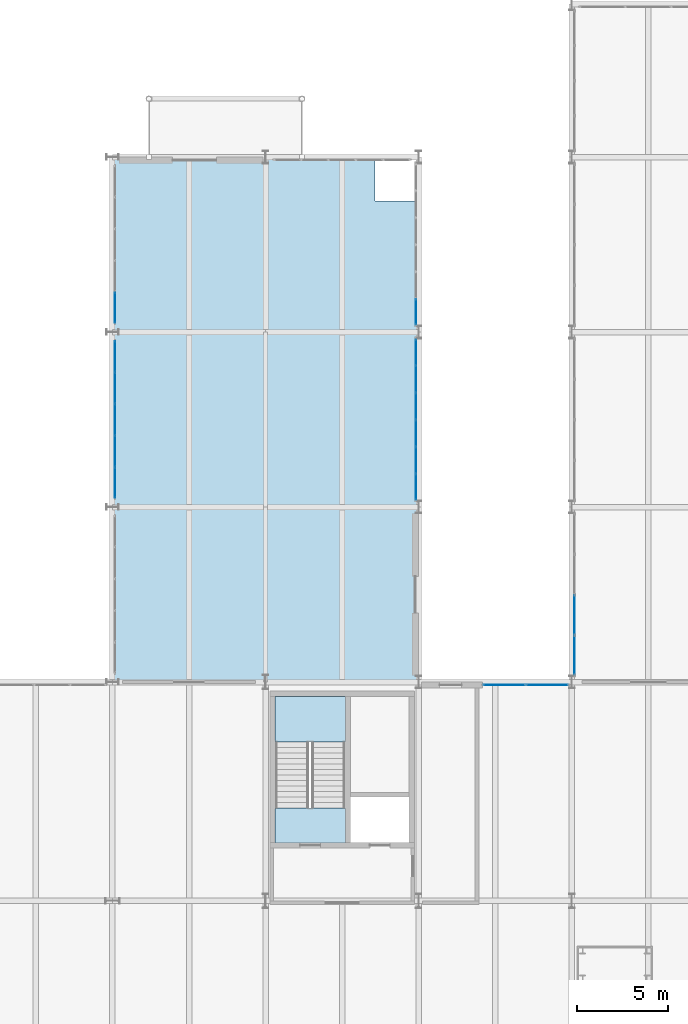
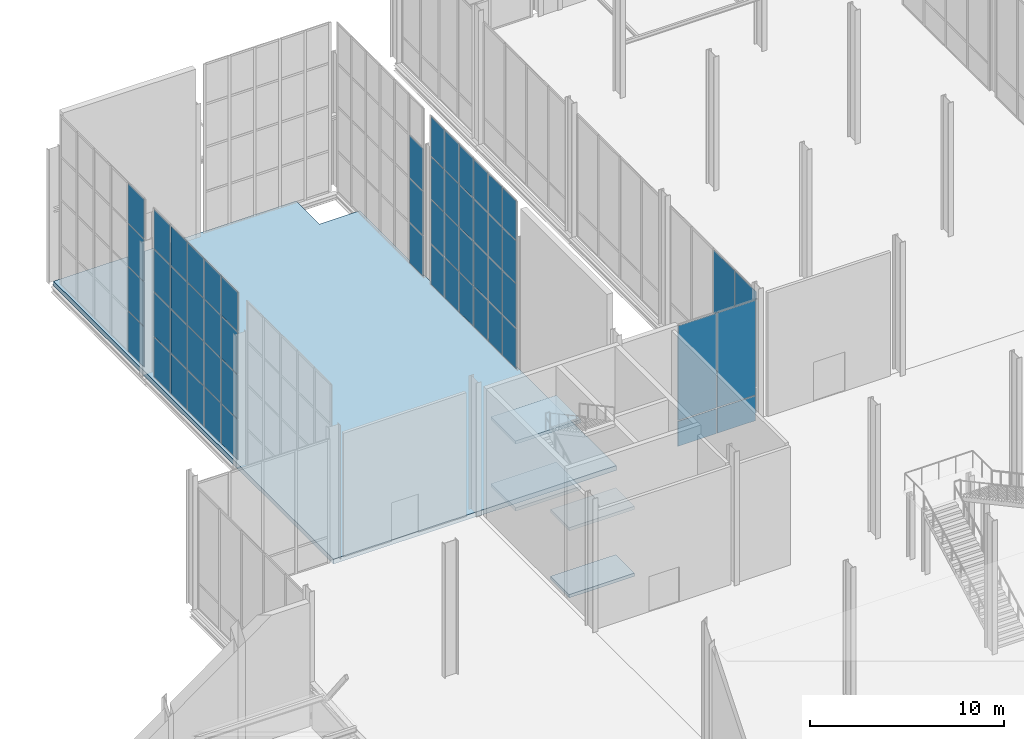
# One storey, part 103 of 131: 59 plates, 5 slabs, 7 elements without a shape of their own.
"""IFC4 building model written with IfcOpenShell, lengths in metres."""

from ifc_helpers import new_model, si_unit, direction, frame, origin, origin_2d, place, context, subcontext, project, spatial, polyline, rectangle, outline, extrude, material, layer, layer_set, type_object, element, aggregate, save


model = new_model("IFC4")

# Units and contexts
model_context = context("Model", 3, precision=1e-05, world=origin(), true_north=direction((0.0, 1.0)))
body_context = subcontext(model_context, "Body", "Model", "MODEL_VIEW")
ifc_project = project(units=[si_unit("LENGTHUNIT", "METRE"), si_unit("AREAUNIT", "SQUARE_METRE"), si_unit("VOLUMEUNIT", "CUBIC_METRE"), si_unit("PLANEANGLEUNIT", "RADIAN"), si_unit("MASSUNIT", "GRAM", prefix="KILO")], contexts=[model_context])

# Site, building, storey
site_placement = place(None, origin())
site = spatial("IfcSite", under=ifc_project, at=site_placement, CompositionType="ELEMENT")
building_placement = place(site_placement, origin())
building = spatial("IfcBuilding", under=site, at=building_placement, Name="Veltarok Museum of Natural Sciences", CompositionType="ELEMENT")
storey_placement = place(building_placement, origin())
storey = spatial("IfcBuildingStorey", under=building, at=storey_placement, Name="L00", CompositionType="ELEMENT", Elevation=0.0)

# Slabs
ifc_material_1 = material(Name="Concrete C35/45", Category="concrete")
ifc_layer_1 = layer(ifc_material_1, 0.300048828125)
ifc_layer_set_1 = layer_set([ifc_layer_1], Name="Concrete C35/45")
slab_type_1 = type_object("IfcSlabType", Name="Ground Level Heavy Composite Slab 300", PredefinedType="FLOOR", material=ifc_layer_set_1)
slab_1_placement = place(storey_placement, frame((0.0, 0.0, -0.300048828125)))
element("IfcSlab", 1, at=slab_1_placement, inside=storey, type_object=slab_type_1, Name="Floor Slab L00 V6N", PredefinedType="FLOOR", context=body_context, shape_type="SweptSolid", body=[
    extrude(outline(polyline([(31.60009765625, 72.0), (31.60009765625, 100.800048828125), (46.0, 100.800048828125), (46.0, 98.39990234375), (48.39990234375, 98.39990234375), (48.39990234375, 72.0), (31.60009765625, 72.0)])), origin(), (0.0, 0.0, 1.0), 0.300048828125),
])
ifc_layer_2 = layer(ifc_material_1, 0.199951171875)
ifc_layer_set_2 = layer_set([ifc_layer_2], Name="Concrete C35/45")
slab_type_2 = type_object("IfcSlabType", Name="Protected Stair Intermediate Landing Slab 200", PredefinedType="LANDING", material=ifc_layer_set_2)
slab_2_placement = place(storey_placement, frame((0.0, 0.0, -0.199951171875)))
element("IfcSlab", 2, at=slab_2_placement, inside=storey, type_object=slab_type_2, Name="Stairwell Floor Landing ST-03 L00", PredefinedType="LANDING", context=body_context, shape_type="SweptSolid", body=[
    extrude(outline(polyline([(40.510009765625, 63.179931640625), (44.389892578125, 63.179931640625), (44.389892578125, 65.10009765625), (40.510009765625, 65.10009765625), (40.510009765625, 63.179931640625)])), origin(), (0.0, 0.0, 1.0), 0.199951171875),
])

# Stair, slabs
ifc_material_2 = material(Name="Precast concrete C40/50", Category="concrete")
stair_type = type_object("IfcStairType", Name="Protected Four-Flight Double-Height Escape Stair H8400", PredefinedType="HALF_TURN_STAIR", material=ifc_material_2)
stair_placement = place(storey_placement, origin())
stair = element("IfcStair", 3, at=stair_placement, inside=storey, type_object=stair_type, Name="Protected Escape Stair ST-03-L00", PredefinedType="HALF_TURN_STAIR")
slab_3_placement = place(storey_placement, frame((0.0, 0.0, 1.89990234375)))
slab_3 = element("IfcSlab", 4, at=slab_3_placement, type_object=slab_type_2, Name="ST-03-L00 landing 1", PredefinedType="LANDING", context=body_context, shape_type="SweptSolid", body=[
    extrude(outline(polyline([(40.510009765625, 68.699951171875), (44.389892578125, 68.699951171875), (44.389892578125, 71.219970703125), (40.510009765625, 71.219970703125), (40.510009765625, 68.699951171875)])), origin(), (0.0, 0.0, 1.0), 0.2001953125),
])
slab_4_placement = place(storey_placement, frame((0.0, 0.0, 4.0)))
slab_4 = element("IfcSlab", 5, at=slab_4_placement, type_object=slab_type_2, Name="ST-03-L00 landing 2", PredefinedType="LANDING", context=body_context, shape_type="SweptSolid", body=[
    extrude(outline(polyline([(40.510009765625, 63.179931640625), (44.389892578125, 63.179931640625), (44.389892578125, 65.10009765625), (40.510009765625, 65.10009765625), (40.510009765625, 63.179931640625)])), origin(), (0.0, 0.0, 1.0), 0.199951171875),
])
slab_5_placement = place(storey_placement, frame((0.0, 0.0, 6.10009765625)))
slab_5 = element("IfcSlab", 6, at=slab_5_placement, type_object=slab_type_2, Name="ST-03-L00 landing 3", PredefinedType="LANDING", context=body_context, shape_type="SweptSolid", body=[
    extrude(outline(polyline([(40.510009765625, 68.699951171875), (44.389892578125, 68.699951171875), (44.389892578125, 71.219970703125), (40.510009765625, 71.219970703125), (40.510009765625, 68.699951171875)])), origin(), (0.0, 0.0, 1.0), 0.199951171875),
])
aggregate(stair, [slab_3, slab_4, slab_5])

# Curtain wall, plates
ifc_material_3 = material(Name="Low-iron triple insulated glass", Category="glass")
curtain_wall_type_1 = type_object("IfcCurtainWallType", Name="Curtain Wall System CW-PAS-NW-JK-870x1065 (Sculpture Court Passage J-K 870x1065cm)", PredefinedType="NOTDEFINED", material=ifc_material_3)
curtain_wall_1_placement = place(storey_placement, origin())
curtain_wall_1 = element("IfcCurtainWall", 7, at=curtain_wall_1_placement, inside=storey, type_object=curtain_wall_type_1, Name="Curtain Wall CW-PAS-NW-JK-870x1065 CW-0025", PredefinedType="NOTDEFINED")
ifc_layer_3 = layer(ifc_material_3, 0.028076171875)
ifc_layer_set_3 = layer_set([ifc_layer_3], Name="Low-iron triple insulated glass")
plate_type = type_object("IfcPlateType", Name="Triple Low-Iron Glazed Vision Panel 28", PredefinedType="CURTAIN_PANEL", material=ifc_layer_set_3)
plate_1_placement = place(storey_placement, frame((31.75, 82.93505859375, 0.06005859375), z_axis=(0.0, 0.0, 1.0), x_axis=(0.0, 1.0, 0.0)))
plate_1 = element("IfcPlate", 8, at=plate_1_placement, type_object=plate_type, Name="CW-PAS-NW-JK-870x1065 panel 1.1", PredefinedType="CURTAIN_PANEL", context=body_context, shape_type="SweptSolid", body=[
    extrude(rectangle(XDim=1.64990234375, YDim=0.028076171875, at=origin_2d()), origin(), (0.0, 0.0, 1.0), 2.510009765625),
])
plate_2_placement = place(storey_placement, frame((31.75, 82.93505859375, 2.6298828125), z_axis=(0.0, 0.0, 1.0), x_axis=(0.0, 1.0, 0.0)))
plate_2 = element("IfcPlate", 9, at=plate_2_placement, type_object=plate_type, Name="CW-PAS-NW-JK-870x1065 panel 1.2", PredefinedType="CURTAIN_PANEL", context=body_context, shape_type="SweptSolid", body=[
    extrude(rectangle(XDim=1.64990234375, YDim=0.028076171875, at=origin_2d()), origin(), (0.0, 0.0, 1.0), 2.739990234375),
])
plate_3_placement = place(storey_placement, frame((31.75, 82.93505859375, 5.43017578125), z_axis=(0.0, 0.0, 1.0), x_axis=(0.0, 1.0, 0.0)))
plate_3 = element("IfcPlate", 10, at=plate_3_placement, type_object=plate_type, Name="CW-PAS-NW-JK-870x1065 panel 1.3", PredefinedType="CURTAIN_PANEL", context=body_context, shape_type="SweptSolid", body=[
    extrude(rectangle(XDim=1.64990234375, YDim=0.028076171875, at=origin_2d()), origin(), (0.0, 0.0, 1.0), 2.639892578125),
])
plate_4_placement = place(storey_placement, frame((31.75, 82.93505859375, 8.130126953125), z_axis=(0.0, 0.0, 1.0), x_axis=(0.0, 1.0, 0.0)))
plate_4 = element("IfcPlate", 11, at=plate_4_placement, type_object=plate_type, Name="CW-PAS-NW-JK-870x1065 panel 1.4", PredefinedType="CURTAIN_PANEL", context=body_context, shape_type="SweptSolid", body=[
    extrude(rectangle(XDim=1.64990234375, YDim=0.028076171875, at=origin_2d()), origin(), (0.0, 0.0, 1.0), 2.4599609375),
])
plate_5_placement = place(storey_placement, frame((31.75, 84.659912109375, 0.06005859375), z_axis=(0.0, 0.0, 1.0), x_axis=(0.0, 1.0, 0.0)))
plate_5 = element("IfcPlate", 12, at=plate_5_placement, type_object=plate_type, Name="CW-PAS-NW-JK-870x1065 panel 2.1", PredefinedType="CURTAIN_PANEL", context=body_context, shape_type="SweptSolid", body=[
    extrude(rectangle(XDim=1.679931640625, YDim=0.028076171875, at=origin_2d()), origin(), (0.0, 0.0, 1.0), 2.510009765625),
])
plate_6_placement = place(storey_placement, frame((31.75, 84.659912109375, 2.6298828125), z_axis=(0.0, 0.0, 1.0), x_axis=(0.0, 1.0, 0.0)))
plate_6 = element("IfcPlate", 13, at=plate_6_placement, type_object=plate_type, Name="CW-PAS-NW-JK-870x1065 panel 2.2", PredefinedType="CURTAIN_PANEL", context=body_context, shape_type="SweptSolid", body=[
    extrude(rectangle(XDim=1.679931640625, YDim=0.028076171875, at=origin_2d()), origin(), (0.0, 0.0, 1.0), 2.739990234375),
])
plate_7_placement = place(storey_placement, frame((31.75, 84.659912109375, 5.43017578125), z_axis=(0.0, 0.0, 1.0), x_axis=(0.0, 1.0, 0.0)))
plate_7 = element("IfcPlate", 14, at=plate_7_placement, type_object=plate_type, Name="CW-PAS-NW-JK-870x1065 panel 2.3", PredefinedType="CURTAIN_PANEL", context=body_context, shape_type="SweptSolid", body=[
    extrude(rectangle(XDim=1.679931640625, YDim=0.028076171875, at=origin_2d()), origin(), (0.0, 0.0, 1.0), 2.639892578125),
])
plate_8_placement = place(storey_placement, frame((31.75, 84.659912109375, 8.130126953125), z_axis=(0.0, 0.0, 1.0), x_axis=(0.0, 1.0, 0.0)))
plate_8 = element("IfcPlate", 15, at=plate_8_placement, type_object=plate_type, Name="CW-PAS-NW-JK-870x1065 panel 2.4", PredefinedType="CURTAIN_PANEL", context=body_context, shape_type="SweptSolid", body=[
    extrude(rectangle(XDim=1.679931640625, YDim=0.028076171875, at=origin_2d()), origin(), (0.0, 0.0, 1.0), 2.4599609375),
])
plate_9_placement = place(storey_placement, frame((31.75, 86.39990234375, 0.06005859375), z_axis=(0.0, 0.0, 1.0), x_axis=(0.0, 1.0, 0.0)))
plate_9 = element("IfcPlate", 16, at=plate_9_placement, type_object=plate_type, Name="CW-PAS-NW-JK-870x1065 panel 3.1", PredefinedType="CURTAIN_PANEL", context=body_context, shape_type="SweptSolid", body=[
    extrude(rectangle(XDim=1.679931640625, YDim=0.028076171875, at=origin_2d()), origin(), (0.0, 0.0, 1.0), 2.510009765625),
])
plate_10_placement = place(storey_placement, frame((31.75, 86.39990234375, 2.6298828125), z_axis=(0.0, 0.0, 1.0), x_axis=(0.0, 1.0, 0.0)))
plate_10 = element("IfcPlate", 17, at=plate_10_placement, type_object=plate_type, Name="CW-PAS-NW-JK-870x1065 panel 3.2", PredefinedType="CURTAIN_PANEL", context=body_context, shape_type="SweptSolid", body=[
    extrude(rectangle(XDim=1.679931640625, YDim=0.028076171875, at=origin_2d()), origin(), (0.0, 0.0, 1.0), 2.739990234375),
])
plate_11_placement = place(storey_placement, frame((31.75, 86.39990234375, 5.43017578125), z_axis=(0.0, 0.0, 1.0), x_axis=(0.0, 1.0, 0.0)))
plate_11 = element("IfcPlate", 18, at=plate_11_placement, type_object=plate_type, Name="CW-PAS-NW-JK-870x1065 panel 3.3", PredefinedType="CURTAIN_PANEL", context=body_context, shape_type="SweptSolid", body=[
    extrude(rectangle(XDim=1.679931640625, YDim=0.028076171875, at=origin_2d()), origin(), (0.0, 0.0, 1.0), 2.639892578125),
])
plate_12_placement = place(storey_placement, frame((31.75, 86.39990234375, 8.130126953125), z_axis=(0.0, 0.0, 1.0), x_axis=(0.0, 1.0, 0.0)))
plate_12 = element("IfcPlate", 19, at=plate_12_placement, type_object=plate_type, Name="CW-PAS-NW-JK-870x1065 panel 3.4", PredefinedType="CURTAIN_PANEL", context=body_context, shape_type="SweptSolid", body=[
    extrude(rectangle(XDim=1.679931640625, YDim=0.028076171875, at=origin_2d()), origin(), (0.0, 0.0, 1.0), 2.4599609375),
])
plate_13_placement = place(storey_placement, frame((31.75, 88.139892578125, 0.06005859375), z_axis=(0.0, 0.0, 1.0), x_axis=(0.0, 1.0, 0.0)))
plate_13 = element("IfcPlate", 20, at=plate_13_placement, type_object=plate_type, Name="CW-PAS-NW-JK-870x1065 panel 4.1", PredefinedType="CURTAIN_PANEL", context=body_context, shape_type="SweptSolid", body=[
    extrude(rectangle(XDim=1.679931640625, YDim=0.028076171875, at=origin_2d()), origin(), (0.0, 0.0, 1.0), 2.510009765625),
])
plate_14_placement = place(storey_placement, frame((31.75, 88.139892578125, 2.6298828125), z_axis=(0.0, 0.0, 1.0), x_axis=(0.0, 1.0, 0.0)))
plate_14 = element("IfcPlate", 21, at=plate_14_placement, type_object=plate_type, Name="CW-PAS-NW-JK-870x1065 panel 4.2", PredefinedType="CURTAIN_PANEL", context=body_context, shape_type="SweptSolid", body=[
    extrude(rectangle(XDim=1.679931640625, YDim=0.028076171875, at=origin_2d()), origin(), (0.0, 0.0, 1.0), 2.739990234375),
])
plate_15_placement = place(storey_placement, frame((31.75, 88.139892578125, 5.43017578125), z_axis=(0.0, 0.0, 1.0), x_axis=(0.0, 1.0, 0.0)))
plate_15 = element("IfcPlate", 22, at=plate_15_placement, type_object=plate_type, Name="CW-PAS-NW-JK-870x1065 panel 4.3", PredefinedType="CURTAIN_PANEL", context=body_context, shape_type="SweptSolid", body=[
    extrude(rectangle(XDim=1.679931640625, YDim=0.028076171875, at=origin_2d()), origin(), (0.0, 0.0, 1.0), 2.639892578125),
])
plate_16_placement = place(storey_placement, frame((31.75, 88.139892578125, 8.130126953125), z_axis=(0.0, 0.0, 1.0), x_axis=(0.0, 1.0, 0.0)))
plate_16 = element("IfcPlate", 23, at=plate_16_placement, type_object=plate_type, Name="CW-PAS-NW-JK-870x1065 panel 4.4", PredefinedType="CURTAIN_PANEL", context=body_context, shape_type="SweptSolid", body=[
    extrude(rectangle(XDim=1.679931640625, YDim=0.028076171875, at=origin_2d()), origin(), (0.0, 0.0, 1.0), 2.4599609375),
])
plate_17_placement = place(storey_placement, frame((31.75, 89.864990234375, 0.06005859375), z_axis=(0.0, 0.0, 1.0), x_axis=(0.0, 1.0, 0.0)))
plate_17 = element("IfcPlate", 24, at=plate_17_placement, type_object=plate_type, Name="CW-PAS-NW-JK-870x1065 panel 5.1", PredefinedType="CURTAIN_PANEL", context=body_context, shape_type="SweptSolid", body=[
    extrude(rectangle(XDim=1.64990234375, YDim=0.028076171875, at=origin_2d()), origin(), (0.0, 0.0, 1.0), 2.510009765625),
])
plate_18_placement = place(storey_placement, frame((31.75, 89.864990234375, 2.6298828125), z_axis=(0.0, 0.0, 1.0), x_axis=(0.0, 1.0, 0.0)))
plate_18 = element("IfcPlate", 25, at=plate_18_placement, type_object=plate_type, Name="CW-PAS-NW-JK-870x1065 panel 5.2", PredefinedType="CURTAIN_PANEL", context=body_context, shape_type="SweptSolid", body=[
    extrude(rectangle(XDim=1.64990234375, YDim=0.028076171875, at=origin_2d()), origin(), (0.0, 0.0, 1.0), 2.739990234375),
])
plate_19_placement = place(storey_placement, frame((31.75, 89.864990234375, 5.43017578125), z_axis=(0.0, 0.0, 1.0), x_axis=(0.0, 1.0, 0.0)))
plate_19 = element("IfcPlate", 26, at=plate_19_placement, type_object=plate_type, Name="CW-PAS-NW-JK-870x1065 panel 5.3", PredefinedType="CURTAIN_PANEL", context=body_context, shape_type="SweptSolid", body=[
    extrude(rectangle(XDim=1.64990234375, YDim=0.028076171875, at=origin_2d()), origin(), (0.0, 0.0, 1.0), 2.639892578125),
])
plate_20_placement = place(storey_placement, frame((31.75, 89.864990234375, 8.130126953125), z_axis=(0.0, 0.0, 1.0), x_axis=(0.0, 1.0, 0.0)))
plate_20 = element("IfcPlate", 27, at=plate_20_placement, type_object=plate_type, Name="CW-PAS-NW-JK-870x1065 panel 5.4", PredefinedType="CURTAIN_PANEL", context=body_context, shape_type="SweptSolid", body=[
    extrude(rectangle(XDim=1.64990234375, YDim=0.028076171875, at=origin_2d()), origin(), (0.0, 0.0, 1.0), 2.4599609375),
])
aggregate(curtain_wall_1, [plate_1, plate_2, plate_3, plate_4, plate_5, plate_6, plate_7, plate_8, plate_9, plate_10, plate_11, plate_12, plate_13, plate_14, plate_15, plate_16, plate_17, plate_18, plate_19, plate_20])

curtain_wall_type_2 = type_object("IfcCurtainWallType", Name="Curtain Wall System CW-PAS-NW-KL-870x1065 (Sculpture Court Passage K-L 870x1065cm)", PredefinedType="NOTDEFINED", material=ifc_material_3)
curtain_wall_2_placement = place(storey_placement, origin())
curtain_wall_2 = element("IfcCurtainWall", 28, at=curtain_wall_2_placement, inside=storey, type_object=curtain_wall_type_2, Name="Curtain Wall CW-PAS-NW-KL-870x1065 CW-0026", PredefinedType="NOTDEFINED")
plate_21_placement = place(storey_placement, frame((31.75, 92.534912109375, 0.06005859375), z_axis=(0.0, 0.0, 1.0), x_axis=(0.0, 1.0, 0.0)))
plate_21 = element("IfcPlate", 29, at=plate_21_placement, type_object=plate_type, Name="CW-PAS-NW-KL-870x1065 panel 1.1", PredefinedType="CURTAIN_PANEL", context=body_context, shape_type="SweptSolid", body=[
    extrude(rectangle(XDim=1.64990234375, YDim=0.028076171875, at=origin_2d()), origin(), (0.0, 0.0, 1.0), 2.510009765625),
])
plate_22_placement = place(storey_placement, frame((31.75, 92.534912109375, 2.6298828125), z_axis=(0.0, 0.0, 1.0), x_axis=(0.0, 1.0, 0.0)))
plate_22 = element("IfcPlate", 30, at=plate_22_placement, type_object=plate_type, Name="CW-PAS-NW-KL-870x1065 panel 1.2", PredefinedType="CURTAIN_PANEL", context=body_context, shape_type="SweptSolid", body=[
    extrude(rectangle(XDim=1.64990234375, YDim=0.028076171875, at=origin_2d()), origin(), (0.0, 0.0, 1.0), 2.739990234375),
])
plate_23_placement = place(storey_placement, frame((31.75, 92.534912109375, 5.43017578125), z_axis=(0.0, 0.0, 1.0), x_axis=(0.0, 1.0, 0.0)))
plate_23 = element("IfcPlate", 31, at=plate_23_placement, type_object=plate_type, Name="CW-PAS-NW-KL-870x1065 panel 1.3", PredefinedType="CURTAIN_PANEL", context=body_context, shape_type="SweptSolid", body=[
    extrude(rectangle(XDim=1.64990234375, YDim=0.028076171875, at=origin_2d()), origin(), (0.0, 0.0, 1.0), 2.639892578125),
])
plate_24_placement = place(storey_placement, frame((31.75, 92.534912109375, 8.130126953125), z_axis=(0.0, 0.0, 1.0), x_axis=(0.0, 1.0, 0.0)))
plate_24 = element("IfcPlate", 32, at=plate_24_placement, type_object=plate_type, Name="CW-PAS-NW-KL-870x1065 panel 1.4", PredefinedType="CURTAIN_PANEL", context=body_context, shape_type="SweptSolid", body=[
    extrude(rectangle(XDim=1.64990234375, YDim=0.028076171875, at=origin_2d()), origin(), (0.0, 0.0, 1.0), 2.4599609375),
])
aggregate(curtain_wall_2, [plate_21, plate_22, plate_23, plate_24])

curtain_wall_type_3 = type_object("IfcCurtainWallType", Name="Curtain Wall System CW-PAS-NE-JK-890x1065 (Sculpture Court East Passage J-K 890x1065cm)", PredefinedType="NOTDEFINED", material=ifc_material_3)
curtain_wall_3_placement = place(storey_placement, origin())
curtain_wall_3 = element("IfcCurtainWall", 33, at=curtain_wall_3_placement, inside=storey, type_object=curtain_wall_type_3, Name="Curtain Wall CW-PAS-NE-JK-890x1065 CW-0047", PredefinedType="NOTDEFINED")
plate_25_placement = place(storey_placement, frame((48.25, 82.706787109375, 0.06005859375), z_axis=(0.0, 0.0, 1.0), x_axis=(0.0, 1.0, 0.0)))
plate_25 = element("IfcPlate", 34, at=plate_25_placement, type_object=plate_type, Name="CW-PAS-NE-JK-890x1065 panel 1.1", PredefinedType="CURTAIN_PANEL", context=body_context, shape_type="SweptSolid", body=[
    extrude(rectangle(XDim=1.393310546875, YDim=0.028076171875, at=origin_2d()), origin(), (0.0, 0.0, 1.0), 2.510009765625),
])
plate_26_placement = place(storey_placement, frame((48.25, 82.706787109375, 2.6298828125), z_axis=(0.0, 0.0, 1.0), x_axis=(0.0, 1.0, 0.0)))
plate_26 = element("IfcPlate", 35, at=plate_26_placement, type_object=plate_type, Name="CW-PAS-NE-JK-890x1065 panel 1.2", PredefinedType="CURTAIN_PANEL", context=body_context, shape_type="SweptSolid", body=[
    extrude(rectangle(XDim=1.393310546875, YDim=0.028076171875, at=origin_2d()), origin(), (0.0, 0.0, 1.0), 2.739990234375),
])
plate_27_placement = place(storey_placement, frame((48.25, 82.706787109375, 5.43017578125), z_axis=(0.0, 0.0, 1.0), x_axis=(0.0, 1.0, 0.0)))
plate_27 = element("IfcPlate", 36, at=plate_27_placement, type_object=plate_type, Name="CW-PAS-NE-JK-890x1065 panel 1.3", PredefinedType="CURTAIN_PANEL", context=body_context, shape_type="SweptSolid", body=[
    extrude(rectangle(XDim=1.393310546875, YDim=0.028076171875, at=origin_2d()), origin(), (0.0, 0.0, 1.0), 2.639892578125),
])
plate_28_placement = place(storey_placement, frame((48.25, 82.706787109375, 8.130126953125), z_axis=(0.0, 0.0, 1.0), x_axis=(0.0, 1.0, 0.0)))
plate_28 = element("IfcPlate", 37, at=plate_28_placement, type_object=plate_type, Name="CW-PAS-NE-JK-890x1065 panel 1.4", PredefinedType="CURTAIN_PANEL", context=body_context, shape_type="SweptSolid", body=[
    extrude(rectangle(XDim=1.393310546875, YDim=0.028076171875, at=origin_2d()), origin(), (0.0, 0.0, 1.0), 2.4599609375),
])
plate_29_placement = place(storey_placement, frame((48.25, 84.175048828125, 0.06005859375), z_axis=(0.0, 0.0, 1.0), x_axis=(0.0, 1.0, 0.0)))
plate_29 = element("IfcPlate", 38, at=plate_29_placement, type_object=plate_type, Name="CW-PAS-NE-JK-890x1065 panel 2.1", PredefinedType="CURTAIN_PANEL", context=body_context, shape_type="SweptSolid", body=[
    extrude(rectangle(XDim=1.42333984375, YDim=0.028076171875, at=origin_2d()), origin(), (0.0, 0.0, 1.0), 2.510009765625),
])
plate_30_placement = place(storey_placement, frame((48.25, 84.175048828125, 2.6298828125), z_axis=(0.0, 0.0, 1.0), x_axis=(0.0, 1.0, 0.0)))
plate_30 = element("IfcPlate", 39, at=plate_30_placement, type_object=plate_type, Name="CW-PAS-NE-JK-890x1065 panel 2.2", PredefinedType="CURTAIN_PANEL", context=body_context, shape_type="SweptSolid", body=[
    extrude(rectangle(XDim=1.42333984375, YDim=0.028076171875, at=origin_2d()), origin(), (0.0, 0.0, 1.0), 2.739990234375),
])
plate_31_placement = place(storey_placement, frame((48.25, 84.175048828125, 5.43017578125), z_axis=(0.0, 0.0, 1.0), x_axis=(0.0, 1.0, 0.0)))
plate_31 = element("IfcPlate", 40, at=plate_31_placement, type_object=plate_type, Name="CW-PAS-NE-JK-890x1065 panel 2.3", PredefinedType="CURTAIN_PANEL", context=body_context, shape_type="SweptSolid", body=[
    extrude(rectangle(XDim=1.42333984375, YDim=0.028076171875, at=origin_2d()), origin(), (0.0, 0.0, 1.0), 2.639892578125),
])
plate_32_placement = place(storey_placement, frame((48.25, 84.175048828125, 8.130126953125), z_axis=(0.0, 0.0, 1.0), x_axis=(0.0, 1.0, 0.0)))
plate_32 = element("IfcPlate", 41, at=plate_32_placement, type_object=plate_type, Name="CW-PAS-NE-JK-890x1065 panel 2.4", PredefinedType="CURTAIN_PANEL", context=body_context, shape_type="SweptSolid", body=[
    extrude(rectangle(XDim=1.42333984375, YDim=0.028076171875, at=origin_2d()), origin(), (0.0, 0.0, 1.0), 2.4599609375),
])
plate_33_placement = place(storey_placement, frame((48.25, 85.658447265625, 0.06005859375), z_axis=(0.0, 0.0, 1.0), x_axis=(0.0, 1.0, 0.0)))
plate_33 = element("IfcPlate", 42, at=plate_33_placement, type_object=plate_type, Name="CW-PAS-NE-JK-890x1065 panel 3.1", PredefinedType="CURTAIN_PANEL", context=body_context, shape_type="SweptSolid", body=[
    extrude(rectangle(XDim=1.42333984375, YDim=0.028076171875, at=origin_2d()), origin(), (0.0, 0.0, 1.0), 2.510009765625),
])
plate_34_placement = place(storey_placement, frame((48.25, 85.658447265625, 2.6298828125), z_axis=(0.0, 0.0, 1.0), x_axis=(0.0, 1.0, 0.0)))
plate_34 = element("IfcPlate", 43, at=plate_34_placement, type_object=plate_type, Name="CW-PAS-NE-JK-890x1065 panel 3.2", PredefinedType="CURTAIN_PANEL", context=body_context, shape_type="SweptSolid", body=[
    extrude(rectangle(XDim=1.42333984375, YDim=0.028076171875, at=origin_2d()), origin(), (0.0, 0.0, 1.0), 2.739990234375),
])
plate_35_placement = place(storey_placement, frame((48.25, 85.658447265625, 5.43017578125), z_axis=(0.0, 0.0, 1.0), x_axis=(0.0, 1.0, 0.0)))
plate_35 = element("IfcPlate", 44, at=plate_35_placement, type_object=plate_type, Name="CW-PAS-NE-JK-890x1065 panel 3.3", PredefinedType="CURTAIN_PANEL", context=body_context, shape_type="SweptSolid", body=[
    extrude(rectangle(XDim=1.42333984375, YDim=0.028076171875, at=origin_2d()), origin(), (0.0, 0.0, 1.0), 2.639892578125),
])
plate_36_placement = place(storey_placement, frame((48.25, 85.658447265625, 8.130126953125), z_axis=(0.0, 0.0, 1.0), x_axis=(0.0, 1.0, 0.0)))
plate_36 = element("IfcPlate", 45, at=plate_36_placement, type_object=plate_type, Name="CW-PAS-NE-JK-890x1065 panel 3.4", PredefinedType="CURTAIN_PANEL", context=body_context, shape_type="SweptSolid", body=[
    extrude(rectangle(XDim=1.42333984375, YDim=0.028076171875, at=origin_2d()), origin(), (0.0, 0.0, 1.0), 2.4599609375),
])
plate_37_placement = place(storey_placement, frame((48.25, 87.1416015625, 0.06005859375), z_axis=(0.0, 0.0, 1.0), x_axis=(0.0, 1.0, 0.0)))
plate_37 = element("IfcPlate", 46, at=plate_37_placement, type_object=plate_type, Name="CW-PAS-NE-JK-890x1065 panel 4.1", PredefinedType="CURTAIN_PANEL", context=body_context, shape_type="SweptSolid", body=[
    extrude(rectangle(XDim=1.42333984375, YDim=0.028076171875, at=origin_2d()), origin(), (0.0, 0.0, 1.0), 2.510009765625),
])
plate_38_placement = place(storey_placement, frame((48.25, 87.1416015625, 2.6298828125), z_axis=(0.0, 0.0, 1.0), x_axis=(0.0, 1.0, 0.0)))
plate_38 = element("IfcPlate", 47, at=plate_38_placement, type_object=plate_type, Name="CW-PAS-NE-JK-890x1065 panel 4.2", PredefinedType="CURTAIN_PANEL", context=body_context, shape_type="SweptSolid", body=[
    extrude(rectangle(XDim=1.42333984375, YDim=0.028076171875, at=origin_2d()), origin(), (0.0, 0.0, 1.0), 2.739990234375),
])
plate_39_placement = place(storey_placement, frame((48.25, 87.1416015625, 5.43017578125), z_axis=(0.0, 0.0, 1.0), x_axis=(0.0, 1.0, 0.0)))
plate_39 = element("IfcPlate", 48, at=plate_39_placement, type_object=plate_type, Name="CW-PAS-NE-JK-890x1065 panel 4.3", PredefinedType="CURTAIN_PANEL", context=body_context, shape_type="SweptSolid", body=[
    extrude(rectangle(XDim=1.42333984375, YDim=0.028076171875, at=origin_2d()), origin(), (0.0, 0.0, 1.0), 2.639892578125),
])
plate_40_placement = place(storey_placement, frame((48.25, 87.1416015625, 8.130126953125), z_axis=(0.0, 0.0, 1.0), x_axis=(0.0, 1.0, 0.0)))
plate_40 = element("IfcPlate", 49, at=plate_40_placement, type_object=plate_type, Name="CW-PAS-NE-JK-890x1065 panel 4.4", PredefinedType="CURTAIN_PANEL", context=body_context, shape_type="SweptSolid", body=[
    extrude(rectangle(XDim=1.42333984375, YDim=0.028076171875, at=origin_2d()), origin(), (0.0, 0.0, 1.0), 2.4599609375),
])
plate_41_placement = place(storey_placement, frame((48.25, 88.625, 0.06005859375), z_axis=(0.0, 0.0, 1.0), x_axis=(0.0, 1.0, 0.0)))
plate_41 = element("IfcPlate", 50, at=plate_41_placement, type_object=plate_type, Name="CW-PAS-NE-JK-890x1065 panel 5.1", PredefinedType="CURTAIN_PANEL", context=body_context, shape_type="SweptSolid", body=[
    extrude(rectangle(XDim=1.42333984375, YDim=0.028076171875, at=origin_2d()), origin(), (0.0, 0.0, 1.0), 2.510009765625),
])
plate_42_placement = place(storey_placement, frame((48.25, 88.625, 2.6298828125), z_axis=(0.0, 0.0, 1.0), x_axis=(0.0, 1.0, 0.0)))
plate_42 = element("IfcPlate", 51, at=plate_42_placement, type_object=plate_type, Name="CW-PAS-NE-JK-890x1065 panel 5.2", PredefinedType="CURTAIN_PANEL", context=body_context, shape_type="SweptSolid", body=[
    extrude(rectangle(XDim=1.42333984375, YDim=0.028076171875, at=origin_2d()), origin(), (0.0, 0.0, 1.0), 2.739990234375),
])
plate_43_placement = place(storey_placement, frame((48.25, 88.625, 5.43017578125), z_axis=(0.0, 0.0, 1.0), x_axis=(0.0, 1.0, 0.0)))
plate_43 = element("IfcPlate", 52, at=plate_43_placement, type_object=plate_type, Name="CW-PAS-NE-JK-890x1065 panel 5.3", PredefinedType="CURTAIN_PANEL", context=body_context, shape_type="SweptSolid", body=[
    extrude(rectangle(XDim=1.42333984375, YDim=0.028076171875, at=origin_2d()), origin(), (0.0, 0.0, 1.0), 2.639892578125),
])
plate_44_placement = place(storey_placement, frame((48.25, 88.625, 8.130126953125), z_axis=(0.0, 0.0, 1.0), x_axis=(0.0, 1.0, 0.0)))
plate_44 = element("IfcPlate", 53, at=plate_44_placement, type_object=plate_type, Name="CW-PAS-NE-JK-890x1065 panel 5.4", PredefinedType="CURTAIN_PANEL", context=body_context, shape_type="SweptSolid", body=[
    extrude(rectangle(XDim=1.42333984375, YDim=0.028076171875, at=origin_2d()), origin(), (0.0, 0.0, 1.0), 2.4599609375),
])
plate_45_placement = place(storey_placement, frame((48.25, 90.09326171875, 0.06005859375), z_axis=(0.0, 0.0, 1.0), x_axis=(0.0, 1.0, 0.0)))
plate_45 = element("IfcPlate", 54, at=plate_45_placement, type_object=plate_type, Name="CW-PAS-NE-JK-890x1065 panel 6.1", PredefinedType="CURTAIN_PANEL", context=body_context, shape_type="SweptSolid", body=[
    extrude(rectangle(XDim=1.393310546875, YDim=0.028076171875, at=origin_2d()), origin(), (0.0, 0.0, 1.0), 2.510009765625),
])
plate_46_placement = place(storey_placement, frame((48.25, 90.09326171875, 2.6298828125), z_axis=(0.0, 0.0, 1.0), x_axis=(0.0, 1.0, 0.0)))
plate_46 = element("IfcPlate", 55, at=plate_46_placement, type_object=plate_type, Name="CW-PAS-NE-JK-890x1065 panel 6.2", PredefinedType="CURTAIN_PANEL", context=body_context, shape_type="SweptSolid", body=[
    extrude(rectangle(XDim=1.393310546875, YDim=0.028076171875, at=origin_2d()), origin(), (0.0, 0.0, 1.0), 2.739990234375),
])
plate_47_placement = place(storey_placement, frame((48.25, 90.09326171875, 5.43017578125), z_axis=(0.0, 0.0, 1.0), x_axis=(0.0, 1.0, 0.0)))
plate_47 = element("IfcPlate", 56, at=plate_47_placement, type_object=plate_type, Name="CW-PAS-NE-JK-890x1065 panel 6.3", PredefinedType="CURTAIN_PANEL", context=body_context, shape_type="SweptSolid", body=[
    extrude(rectangle(XDim=1.393310546875, YDim=0.028076171875, at=origin_2d()), origin(), (0.0, 0.0, 1.0), 2.639892578125),
])
plate_48_placement = place(storey_placement, frame((48.25, 90.09326171875, 8.130126953125), z_axis=(0.0, 0.0, 1.0), x_axis=(0.0, 1.0, 0.0)))
plate_48 = element("IfcPlate", 57, at=plate_48_placement, type_object=plate_type, Name="CW-PAS-NE-JK-890x1065 panel 6.4", PredefinedType="CURTAIN_PANEL", context=body_context, shape_type="SweptSolid", body=[
    extrude(rectangle(XDim=1.393310546875, YDim=0.028076171875, at=origin_2d()), origin(), (0.0, 0.0, 1.0), 2.4599609375),
])
aggregate(curtain_wall_3, [plate_25, plate_26, plate_27, plate_28, plate_29, plate_30, plate_31, plate_32, plate_33, plate_34, plate_35, plate_36, plate_37, plate_38, plate_39, plate_40, plate_41, plate_42, plate_43, plate_44, plate_45, plate_46, plate_47, plate_48])

curtain_wall_type_4 = type_object("IfcCurtainWallType", Name="Curtain Wall System CW-PAS-NE-KL-890x1065 (Sculpture Court East Passage K-L 890x1065cm)", PredefinedType="NOTDEFINED", material=ifc_material_3)
curtain_wall_4_placement = place(storey_placement, origin())
curtain_wall_4 = element("IfcCurtainWall", 58, at=curtain_wall_4_placement, inside=storey, type_object=curtain_wall_type_4, Name="Curtain Wall CW-PAS-NE-KL-890x1065 CW-0048", PredefinedType="NOTDEFINED")
plate_49_placement = place(storey_placement, frame((48.25, 92.306640625, 0.06005859375), z_axis=(0.0, 0.0, 1.0), x_axis=(0.0, 1.0, 0.0)))
plate_49 = element("IfcPlate", 59, at=plate_49_placement, type_object=plate_type, Name="CW-PAS-NE-KL-890x1065 panel 1.1", PredefinedType="CURTAIN_PANEL", context=body_context, shape_type="SweptSolid", body=[
    extrude(rectangle(XDim=1.393310546875, YDim=0.028076171875, at=origin_2d()), origin(), (0.0, 0.0, 1.0), 2.510009765625),
])
plate_50_placement = place(storey_placement, frame((48.25, 92.306640625, 2.6298828125), z_axis=(0.0, 0.0, 1.0), x_axis=(0.0, 1.0, 0.0)))
plate_50 = element("IfcPlate", 60, at=plate_50_placement, type_object=plate_type, Name="CW-PAS-NE-KL-890x1065 panel 1.2", PredefinedType="CURTAIN_PANEL", context=body_context, shape_type="SweptSolid", body=[
    extrude(rectangle(XDim=1.393310546875, YDim=0.028076171875, at=origin_2d()), origin(), (0.0, 0.0, 1.0), 2.739990234375),
])
plate_51_placement = place(storey_placement, frame((48.25, 92.306640625, 5.43017578125), z_axis=(0.0, 0.0, 1.0), x_axis=(0.0, 1.0, 0.0)))
plate_51 = element("IfcPlate", 61, at=plate_51_placement, type_object=plate_type, Name="CW-PAS-NE-KL-890x1065 panel 1.3", PredefinedType="CURTAIN_PANEL", context=body_context, shape_type="SweptSolid", body=[
    extrude(rectangle(XDim=1.393310546875, YDim=0.028076171875, at=origin_2d()), origin(), (0.0, 0.0, 1.0), 2.639892578125),
])
aggregate(curtain_wall_4, [plate_49, plate_50, plate_51])

curtain_wall_type_5 = type_object("IfcCurtainWallType", Name="Curtain Wall System CW-V2NH-L00-2-475x768 (CW-V2NH L00 475x768cm)", PredefinedType="NOTDEFINED", material=ifc_material_3)
curtain_wall_5_placement = place(storey_placement, origin())
curtain_wall_5 = element("IfcCurtainWall", 62, at=curtain_wall_5_placement, inside=storey, type_object=curtain_wall_type_5, Name="Curtain Wall CW-V2NH-L00-2-475x768 CW-0150", PredefinedType="NOTDEFINED")
plate_52_placement = place(storey_placement, frame((55.447509765625, 71.85009765625, 0.057861328125), z_axis=(0.0, 0.0, 1.0), x_axis=(-1.0, 0.0, 0.0)))
plate_52 = element("IfcPlate", 63, at=plate_52_placement, type_object=plate_type, Name="CW-V2NH-L00-2-475x768 panel 1.1", PredefinedType="CURTAIN_PANEL", context=body_context, shape_type="SweptSolid", body=[
    extrude(rectangle(XDim=2.284912109375, YDim=0.028076171875, at=origin_2d()), origin(), (0.0, 0.0, 1.0), 1.56005859375),
])
plate_53_placement = place(storey_placement, frame((55.447509765625, 71.85009765625, 1.677978515625), z_axis=(0.0, 0.0, 1.0), x_axis=(-1.0, 0.0, 0.0)))
plate_53 = element("IfcPlate", 64, at=plate_53_placement, type_object=plate_type, Name="CW-V2NH-L00-2-475x768 panel 1.2", PredefinedType="CURTAIN_PANEL", context=body_context, shape_type="SweptSolid", body=[
    extrude(rectangle(XDim=2.284912109375, YDim=0.028076171875, at=origin_2d()), origin(), (0.0, 0.0, 1.0), 5.94189453125),
])
plate_54_placement = place(storey_placement, frame((53.1025390625, 71.85009765625, 0.057861328125), z_axis=(0.0, 0.0, 1.0), x_axis=(-1.0, 0.0, 0.0)))
plate_54 = element("IfcPlate", 65, at=plate_54_placement, type_object=plate_type, Name="CW-V2NH-L00-2-475x768 panel 2.1", PredefinedType="CURTAIN_PANEL", context=body_context, shape_type="SweptSolid", body=[
    extrude(rectangle(XDim=2.284912109375, YDim=0.028076171875, at=origin_2d()), origin(), (0.0, 0.0, 1.0), 1.56005859375),
])
plate_55_placement = place(storey_placement, frame((53.1025390625, 71.85009765625, 1.677978515625), z_axis=(0.0, 0.0, 1.0), x_axis=(-1.0, 0.0, 0.0)))
plate_55 = element("IfcPlate", 66, at=plate_55_placement, type_object=plate_type, Name="CW-V2NH-L00-2-475x768 panel 2.2", PredefinedType="CURTAIN_PANEL", context=body_context, shape_type="SweptSolid", body=[
    extrude(rectangle(XDim=2.284912109375, YDim=0.028076171875, at=origin_2d()), origin(), (0.0, 0.0, 1.0), 5.94189453125),
])
aggregate(curtain_wall_5, [plate_52, plate_53, plate_54, plate_55])

curtain_wall_type_6 = type_object("IfcCurtainWallType", Name="Curtain Wall System CW-V2NPW-L00-1-890x773 (CW-V2NPW L00 890x773cm)", PredefinedType="NOTDEFINED", material=ifc_material_3)
curtain_wall_6_placement = place(storey_placement, origin())
curtain_wall_6 = element("IfcCurtainWall", 67, at=curtain_wall_6_placement, inside=storey, type_object=curtain_wall_type_6, Name="Curtain Wall CW-V2NPW-L00-1-890x773 CW-0213", PredefinedType="NOTDEFINED")
plate_56_placement = place(storey_placement, frame((56.949951171875, 73.4775390625, 0.057861328125), z_axis=(0.0, 0.0, 1.0), x_axis=(0.0, 1.0, 0.0)))
plate_56 = element("IfcPlate", 68, at=plate_56_placement, type_object=plate_type, Name="CW-V2NPW-L00-1-890x773 panel 1.1", PredefinedType="CURTAIN_PANEL", context=body_context, shape_type="SweptSolid", body=[
    extrude(rectangle(XDim=2.135009765625, YDim=0.028076171875, at=origin_2d()), origin(), (0.0, 0.0, 1.0), 1.56005859375),
])
plate_57_placement = place(storey_placement, frame((56.949951171875, 73.4775390625, 1.67822265625), z_axis=(0.0, 0.0, 1.0), x_axis=(0.0, 1.0, 0.0)))
plate_57 = element("IfcPlate", 69, at=plate_57_placement, type_object=plate_type, Name="CW-V2NPW-L00-1-890x773 panel 1.2", PredefinedType="CURTAIN_PANEL", context=body_context, shape_type="SweptSolid", body=[
    extrude(rectangle(XDim=2.135009765625, YDim=0.028076171875, at=origin_2d()), origin(), (0.0, 0.0, 1.0), 5.991943359375),
])
plate_58_placement = place(storey_placement, frame((56.949951171875, 75.6875, 0.057861328125), z_axis=(0.0, 0.0, 1.0), x_axis=(0.0, 1.0, 0.0)))
plate_58 = element("IfcPlate", 70, at=plate_58_placement, type_object=plate_type, Name="CW-V2NPW-L00-1-890x773 panel 2.1", PredefinedType="CURTAIN_PANEL", context=body_context, shape_type="SweptSolid", body=[
    extrude(rectangle(XDim=2.1650390625, YDim=0.028076171875, at=origin_2d()), origin(), (0.0, 0.0, 1.0), 1.56005859375),
])
plate_59_placement = place(storey_placement, frame((56.949951171875, 75.6875, 1.67822265625), z_axis=(0.0, 0.0, 1.0), x_axis=(0.0, 1.0, 0.0)))
plate_59 = element("IfcPlate", 71, at=plate_59_placement, type_object=plate_type, Name="CW-V2NPW-L00-1-890x773 panel 2.2", PredefinedType="CURTAIN_PANEL", context=body_context, shape_type="SweptSolid", body=[
    extrude(rectangle(XDim=2.1650390625, YDim=0.028076171875, at=origin_2d()), origin(), (0.0, 0.0, 1.0), 5.991943359375),
])
aggregate(curtain_wall_6, [plate_56, plate_57, plate_58, plate_59])

save(model, "model.ifc")
